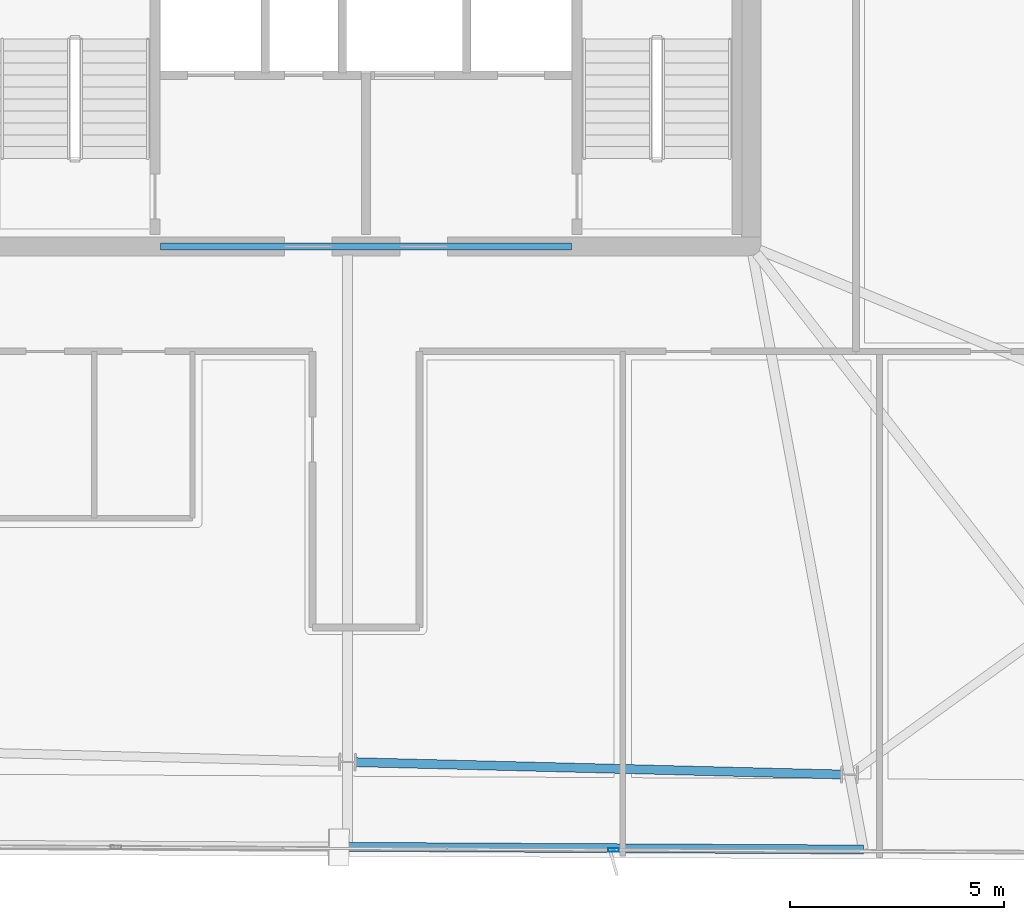
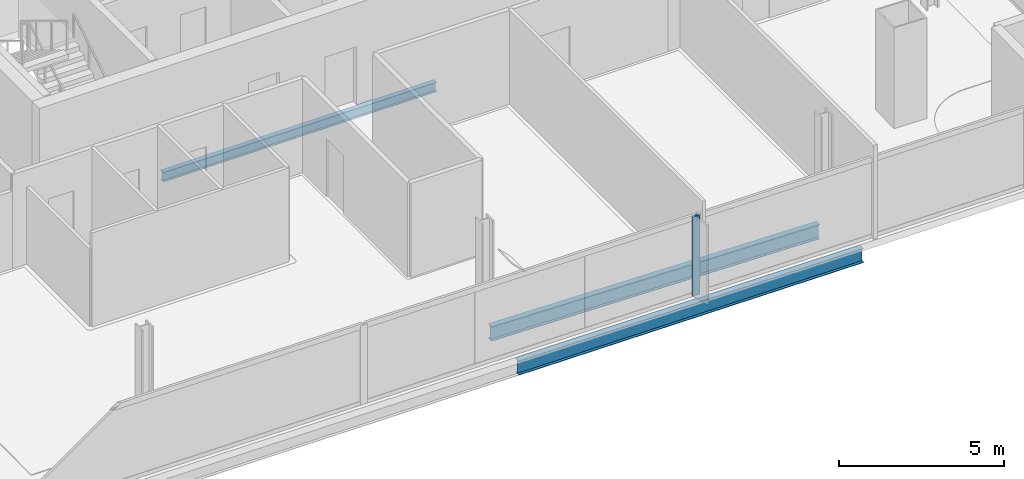
# One storey, part 5 of 24: 3 beams, 1 member, 1 element without a shape of its own.
"""IFC4 building model written with IfcOpenShell, lengths in metres."""

from ifc_helpers import new_model, si_unit, direction, frame, origin, origin_2d, place, context, subcontext, project, spatial, hollow_rectangle, i_section, extrude, material, material_profile, profile_set, type_object, element, aggregate, save


model = new_model("IFC4")

# Units and contexts
model_context = context("Model", 3, precision=1e-05, world=origin(), true_north=direction((0.0, 1.0)))
body_context = subcontext(model_context, "Body", "Model", "MODEL_VIEW")
ifc_project = project(units=[si_unit("LENGTHUNIT", "METRE"), si_unit("AREAUNIT", "SQUARE_METRE"), si_unit("VOLUMEUNIT", "CUBIC_METRE"), si_unit("PLANEANGLEUNIT", "RADIAN"), si_unit("MASSUNIT", "GRAM", prefix="KILO")], contexts=[model_context])

# Site, building, storey
site_placement = place(None, origin())
site = spatial("IfcSite", under=ifc_project, at=site_placement, CompositionType="ELEMENT")
building_placement = place(site_placement, origin())
building = spatial("IfcBuilding", under=site, at=building_placement, Name="Haldenkirk Collegiate Tower", CompositionType="ELEMENT")
storey_placement = place(building_placement, frame((0.0, 0.0, 328.949951171875)))
storey = spatial("IfcBuildingStorey", under=building, at=storey_placement, Name="L83", CompositionType="ELEMENT", Elevation=328.949951171875)

# Beams
ifc_material_1 = material(Name="Steel ASTM A992 Grade 50", Category="steel")
ifc_material_profile_1 = material_profile(ifc_material_1, i_section(OverallWidth=0.1708984375, OverallDepth=0.35595703125, WebThickness=0.007080078125, FlangeThickness=0.01171875, at=origin_2d()), Name="W14X34")
ifc_profile_set_1 = profile_set([ifc_material_profile_1], Name="Steel ASTM A992 Grade 50")
beam_type_1 = type_object("IfcBeamType", Name="BM-LINTEL-W14X34", PredefinedType="LINTEL", material=ifc_profile_set_1)
beam_1_placement = place(storey_placement, frame((31.199951171875, 18.0, -0.43798828125), z_axis=(1.0, 0.0, 0.0), x_axis=(0.0, 1.0, 0.0)))
element("IfcBeam", 1, at=beam_1_placement, inside=storey, type_object=beam_type_1, Name="L83 south core coupling lintel", PredefinedType="LINTEL", context=body_context, shape_type="SweptSolid", body=[
    extrude(i_section(OverallWidth=0.1708984375, OverallDepth=0.35595703125, WebThickness=0.007080078125, FlangeThickness=0.01171875, at=origin_2d()), origin(), (0.0, 0.0, 1.0), 9.60009765625),
])
ifc_material_profile_2 = material_profile(ifc_material_1, i_section(OverallWidth=0.2099609375, OverallDepth=0.537109375, WebThickness=0.010986328125, FlangeThickness=0.017333984375, at=origin_2d()), Name="W21X68")
ifc_profile_set_2 = profile_set([ifc_material_profile_2], Name="Steel ASTM A992 Grade 50")
beam_type_2 = type_object("IfcBeamType", Name="BM-SPANDREL-W21X68", PredefinedType="SPANDREL", material=ifc_profile_set_2)
beam_2_placement = place(storey_placement, frame((35.755615234375, 5.94970703125, -0.528564453125), z_axis=(0.999679850822, -0.025302092003, 0.0), x_axis=(0.025302092003, 0.999679850822, 0.0)))
element("IfcBeam", 2, at=beam_2_placement, inside=storey, type_object=beam_type_2, Name="L83 perimeter spandrel beam 15", PredefinedType="SPANDREL", context=body_context, shape_type="SweptSolid", body=[
    extrude(i_section(OverallWidth=0.2099609375, OverallDepth=0.537109375, WebThickness=0.010986328125, FlangeThickness=0.017333984375, at=origin_2d()), origin(), (0.0, 0.0, 1.0), 11.35693359375),
])
beam_3_placement = place(storey_placement, frame((35.567626953125, 3.971923828125, -0.528564453125), z_axis=(0.999986242841, -0.00524539122, 0.0), x_axis=(0.00524539122, 0.999986242841, 0.0)))
element("IfcBeam", 3, at=beam_3_placement, inside=storey, type_object=beam_type_2, Name="L83 outer facade edge beam 4B", PredefinedType="SPANDREL", context=body_context, shape_type="SweptSolid", body=[
    extrude(i_section(OverallWidth=0.2099609375, OverallDepth=0.537109375, WebThickness=0.010986328125, FlangeThickness=0.017333984375, at=origin_2d()), origin(), (0.0, 0.0, 1.0), 12.054931640625),
])

# Curtain wall, member
ifc_material_2 = material(Name="Anodised architectural bronze aluminium", Category="aluminium")
curtain_wall_type = type_object("IfcCurtainWallType", Name="CW-SYS1B-CONVEX-HI", PredefinedType="USERDEFINED", material=ifc_material_2)
curtain_wall_placement = place(storey_placement, origin())
curtain_wall = element("IfcCurtainWall", 4, at=curtain_wall_placement, inside=storey, type_object=curtain_wall_type, Name="L83 Upper tower high-wind convex bronze unitised curtain wall", ObjectType="UNITISED CURTAIN WALL", PredefinedType="USERDEFINED")
ifc_material_profile_3 = material_profile(ifc_material_2, hollow_rectangle(XDim=0.0849609375, YDim=0.25, WallThickness=0.0048828125, at=origin_2d()), Name="CW-MUL-1B")
ifc_profile_set_3 = profile_set([ifc_material_profile_3], Name="Anodised architectural bronze aluminium")
member_type = type_object("IfcMemberType", Name="CW-MUL-1B", PredefinedType="MULLION", material=ifc_profile_set_3)
member_placement = place(storey_placement, frame((41.7841796875, 3.8994140625, 0.0), z_axis=(0.0, 0.0, 1.0), x_axis=(-0.005238712897, -0.999986277849, 0.0)))
member = element("IfcMember", 5, at=member_placement, type_object=member_type, Name="CW-1B mullion 2", PredefinedType="MULLION", context=body_context, shape_type="SweptSolid", body=[
    extrude(hollow_rectangle(XDim=0.0849609375, YDim=0.25, WallThickness=0.0048828125, at=origin_2d()), origin(), (0.0, 0.0, 1.0), 2.947998046875),
])
aggregate(curtain_wall, [member])

save(model, "model.ifc")
